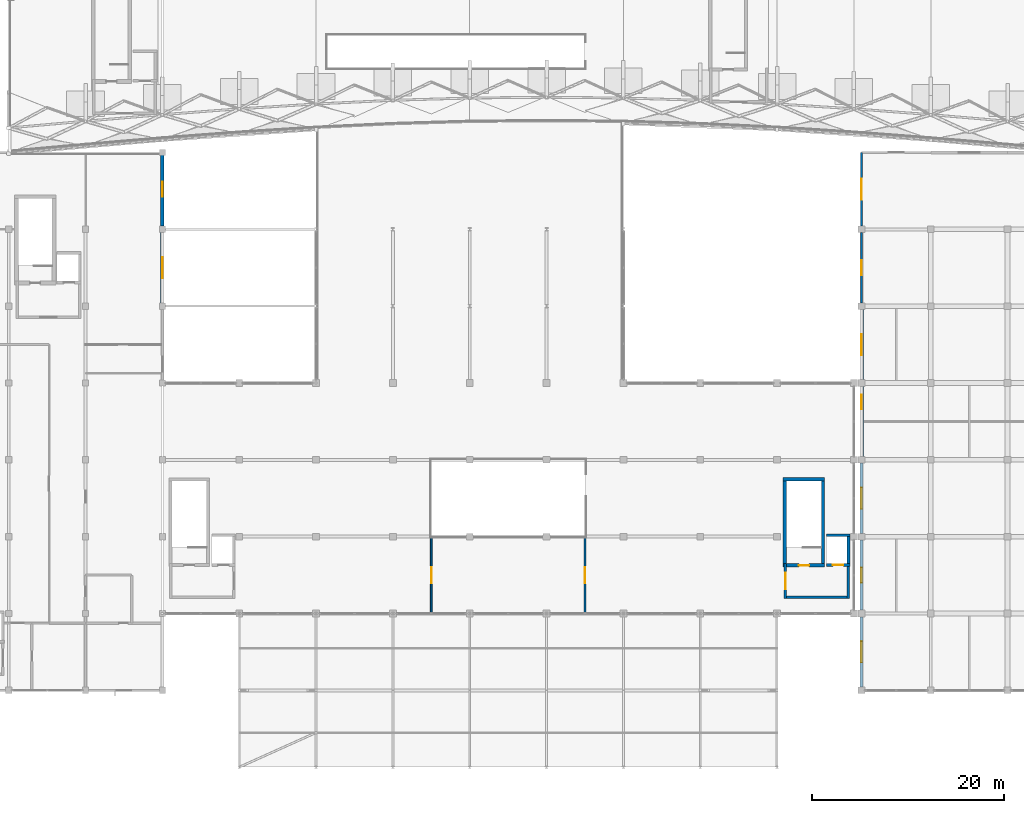
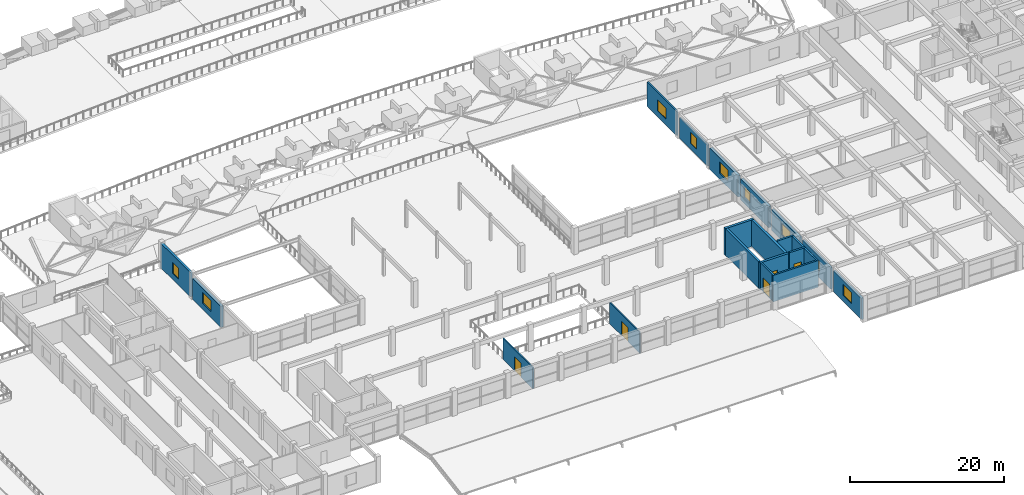
# One storey, part 44 of 67: 21 walls, 9 windows, 5 doors, 14 openings.
"""IFC4 building model written with IfcOpenShell, lengths in metres."""

import ifcopenshell
import ifcopenshell.guid

model = None  # the IFC model being written
_history = None  # IfcOwnerHistory: only IFC2X3 demands one
_inside = {}  # id of a spatial element -> (the spatial element, [elements in it])
_under = {}  # id of a project, library or spatial element -> (it, [spatial elements below it])
_declared = {}  # id of a project -> (the project, [libraries it declares])
_typed = {}  # id of a type object -> (the type object, [elements of that type])
_made_of = {}  # id of a material, layer set ... -> (it, [elements and type objects made of it])


def new_model(schema):
    """Start an empty IFC model of exactly this schema.

    Asked for "IFC4X3", IfcOpenShell would pick the latest addendum, in which some entities
    have other attributes; the version numbers below select the first issue.
    IFC2X3 requires an IfcOwnerHistory on every rooted entity: one is made here for all.
    """
    global model, _history
    if schema == "IFC4X3":
        model = ifcopenshell.file(schema_version=(4, 3, 0, 0))
    else:
        model = ifcopenshell.file(schema=schema)
    _inside.clear()
    _under.clear()
    _declared.clear()
    _typed.clear()
    _made_of.clear()
    _history = None
    if model.schema == "IFC2X3":
        org = make("IfcOrganization", Name="unknown")
        user = make(
            "IfcPersonAndOrganization",
            ThePerson=make("IfcPerson", FamilyName="unknown"),
            TheOrganization=org,
        )
        app = make(
            "IfcApplication",
            ApplicationDeveloper=org,
            Version="unknown",
            ApplicationFullName="unknown",
            ApplicationIdentifier="unknown",
        )
        _history = make(
            "IfcOwnerHistory",
            OwningUser=user,
            OwningApplication=app,
            ChangeAction="ADDED",
            CreationDate=0,
        )
    return model


def make(cls, **values):
    """One entity of the class cls with the attributes given. An attribute that is None is left unset."""
    return model.create_entity(
        cls, **{name: value for name, value in values.items() if value is not None}
    )


def rooted(cls, **values):
    """An entity with a GlobalId (a new one), such as an element, a storey or a relation."""
    return make(cls, GlobalId=ifcopenshell.guid.new(), OwnerHistory=_history, **values)


def si_unit(unit_type, name, prefix=None):
    """IfcSIUnit, for example si_unit("LENGTHUNIT", "METRE", prefix="MILLI")."""
    return make("IfcSIUnit", UnitType=unit_type, Prefix=prefix, Name=name)


def assignment(units):
    """IfcUnitAssignment: the units of a project."""
    return None if units is None else make("IfcUnitAssignment", Units=units)


def point(xyz):
    """IfcCartesianPoint."""
    return None if xyz is None else make("IfcCartesianPoint", Coordinates=xyz)


def direction(xyz):
    """IfcDirection."""
    return None if xyz is None else make("IfcDirection", DirectionRatios=xyz)


def frame(location, z_axis=None, x_axis=None):
    """IfcAxis2Placement3D, a coordinate frame: its origin and axes. An axis left out is left unset."""
    return make(
        "IfcAxis2Placement3D",
        Location=point(location),
        Axis=direction(z_axis),
        RefDirection=direction(x_axis),
    )


def frame_2d(location, x_axis=None):
    """IfcAxis2Placement2D, a coordinate frame in the plane: its origin and x axis."""
    return make(
        "IfcAxis2Placement2D", Location=point(location), RefDirection=direction(x_axis)
    )


def origin():
    """The frame at (0, 0, 0) with its axes left unset."""
    return frame((0.0, 0.0, 0.0))


def place(relative_to, where):
    """IfcLocalPlacement: puts the frame where relative to a parent placement (None: the world)."""
    return make(
        "IfcLocalPlacement", PlacementRelTo=relative_to, RelativePlacement=where
    )


def context(
    kind, dimensions, precision=None, world=None, true_north=None, identifier=None
):
    """IfcGeometricRepresentationContext, for example the 3D "Model" context."""
    return make(
        "IfcGeometricRepresentationContext",
        ContextIdentifier=identifier,
        ContextType=kind,
        CoordinateSpaceDimension=dimensions,
        Precision=precision,
        WorldCoordinateSystem=world,
        TrueNorth=true_north,
    )


def subcontext(parent, identifier, kind, view, scale=None):
    """IfcGeometricRepresentationSubContext, for example "Body" below "Model"."""
    return make(
        "IfcGeometricRepresentationSubContext",
        ContextIdentifier=identifier,
        ContextType=kind,
        ParentContext=parent,
        TargetScale=scale,
        TargetView=view,
    )


def project(units=None, contexts=None):
    """IfcProject with its units and contexts."""
    return rooted(
        "IfcProject",
        Name="project",
        RepresentationContexts=contexts,
        UnitsInContext=assignment(units),
    )


def spatial(cls, under=None, at=None, **own):
    """A site, building, storey or space (cls), placed at a placement, below another one or the project."""
    s = rooted(cls, ObjectPlacement=at, **own)
    if under is not None:
        _under.setdefault(under.id(), (under, []))[1].append(s)
    return s


def profile(cls, at=None, kind="AREA", **sizes):
    """A parametric profile (cls). Its sizes go by their IFC names, for example OverallWidth=200.0."""
    return make(cls, ProfileType=kind, Position=at, **sizes)


def rectangle(**sizes):
    """IfcRectangleProfileDef."""
    return profile("IfcRectangleProfileDef", **sizes)


def extrude(swept, where, along, depth):
    """IfcExtrudedAreaSolid: the profile swept, set in the frame where, extruded along a direction by depth."""
    return make(
        "IfcExtrudedAreaSolid",
        SweptArea=swept,
        Position=where,
        ExtrudedDirection=direction(along),
        Depth=depth,
    )


def shape(context_of_items, identifier, shape_type, items):
    """IfcShapeRepresentation: the items that make up one representation, for example the "Body"."""
    return make(
        "IfcShapeRepresentation",
        ContextOfItems=context_of_items,
        RepresentationIdentifier=identifier,
        RepresentationType=shape_type,
        Items=items,
    )


def material(Name=None, Category=None):
    """IfcMaterial."""
    return make("IfcMaterial", Name=Name, Category=Category)


def layer(
    of_material, thickness, ventilated=None, Name=None, Category=None, Priority=None
):
    """IfcMaterialLayer: one layer of a wall or slab, of a material (None: an air gap)."""
    return make(
        "IfcMaterialLayer",
        Material=of_material,
        LayerThickness=thickness,
        IsVentilated=ventilated,
        Name=Name,
        Category=Category,
        Priority=Priority,
    )


def layer_set(layers, Name=None):
    """IfcMaterialLayerSet."""
    return make("IfcMaterialLayerSet", MaterialLayers=layers, LayerSetName=Name)


def made_of(thing, what):
    """Note that an element or type object is made of a material, layer set ...; save() writes the relation."""
    if what is not None:
        _made_of.setdefault(what.id(), (what, []))[1].append(thing)
    return thing


def type_object(cls, material=None, **own):
    """A type object (cls), such as IfcWallType, which elements share."""
    return made_of(rooted(cls, **own), material)


def element(
    cls,
    number,
    at=None,
    inside=None,
    cuts=None,
    type_object=None,
    material=None,
    context=None,
    identifier="Body",
    shape_type=None,
    held_by="IfcProductDefinitionShape",
    body=None,
    shapes=None,
    **own,
):
    """One element of the class cls, such as IfcWall. Its Tag is "e" and its number.

    at: its placement. inside: the storey or other place that contains it. cuts: it is an
    opening in that element (IfcRelVoidsElement). A single representation is given by context,
    identifier, shape_type and body (its items); several are given by shapes. held_by: the class
    of the entity that holds the representations. save() writes the other relations.
    """
    e = rooted(cls, Tag="e%d" % number, ObjectPlacement=at, **own)
    if body is not None:
        shapes = [shape(context, identifier, shape_type, body)]
    if shapes is not None:
        e.Representation = make(held_by, Representations=shapes)
    if inside is not None:
        _inside.setdefault(inside.id(), (inside, []))[1].append(e)
    if cuts is not None:
        rooted(
            "IfcRelVoidsElement", RelatingBuildingElement=cuts, RelatedOpeningElement=e
        )
    if type_object is not None:
        _typed.setdefault(type_object.id(), (type_object, []))[1].append(e)
    return made_of(e, material)


def fill(opening, filler):
    """IfcRelFillsElement: the door or window that sits in an opening."""
    return rooted(
        "IfcRelFillsElement",
        RelatingOpeningElement=opening,
        RelatedBuildingElement=filler,
    )


def aggregate(whole, parts):
    """IfcRelAggregates: a whole, such as a stair, and the parts it consists of."""
    return rooted("IfcRelAggregates", RelatingObject=whole, RelatedObjects=parts)


def save(model, path):
    """Write the relations noted so far, then the file.

    IfcRelAggregates (storeys below a building ...), IfcRelContainedInSpatialStructure (elements
    in a storey), IfcRelDefinesByType, IfcRelAssociatesMaterial and IfcRelDeclares: one each for
    every whole, place, type object, material and project.
    """
    for whole, parts in _under.values():
        aggregate(whole, parts)
    for where, things in _inside.values():
        rooted(
            "IfcRelContainedInSpatialStructure",
            RelatedElements=things,
            RelatingStructure=where,
        )
    for kind, things in _typed.values():
        rooted("IfcRelDefinesByType", RelatedObjects=things, RelatingType=kind)
    for what, things in _made_of.values():
        rooted("IfcRelAssociatesMaterial", RelatedObjects=things, RelatingMaterial=what)
    for by, libraries in _declared.values():
        rooted("IfcRelDeclares", RelatingContext=by, RelatedDefinitions=libraries)
    model.write(path)


model = new_model("IFC4")

# Units and contexts
model_context = context("Model", 3, precision=1e-05, world=origin(), true_north=direction((0.0, 1.0)))
body_context = subcontext(model_context, "Body", "Model", "MODEL_VIEW")
ifc_project = project(units=[si_unit("LENGTHUNIT", "METRE"), si_unit("AREAUNIT", "SQUARE_METRE"), si_unit("VOLUMEUNIT", "CUBIC_METRE"), si_unit("PLANEANGLEUNIT", "RADIAN"), si_unit("MASSUNIT", "GRAM", prefix="KILO")], contexts=[model_context])

# Site, building, storey
site_placement = place(None, origin())
site = spatial("IfcSite", under=ifc_project, at=site_placement, CompositionType="ELEMENT")
building_placement = place(site_placement, origin())
building = spatial("IfcBuilding", under=site, at=building_placement, Name="Kenh Van Central Station", CompositionType="ELEMENT")
storey_placement = place(building_placement, frame((0.0, 0.0, 10.800048828125)))
storey = spatial("IfcBuildingStorey", under=building, at=storey_placement, Name="L02", CompositionType="ELEMENT", Elevation=10.800048828125)

# Wall, opening, door
ifc_material_1 = material(Name="Concrete C40/50", Category="concrete")
ifc_layer_1 = layer(ifc_material_1, 0.280029296875, Name="Concrete C40/50")
ifc_layer_set_1 = layer_set([ifc_layer_1], Name="Concrete C40/50")
wall_type_1 = type_object("IfcWallType", Name="WL-CORE-280", PredefinedType="SHEAR", material=ifc_layer_set_1)
wall_1_placement = place(storey_placement, frame((117.14990234375, 21.06005859375, 0.0), z_axis=(0.0, 0.0, 1.0), x_axis=(1.0, 0.0, 0.0)))
wall_1 = element("IfcWall", 1, at=wall_1_placement, inside=storey, type_object=wall_type_1, Name="L02 LIFT-P4 shaft wall S", PredefinedType="SHEAR", context=body_context, shape_type="SweptSolid", body=[
    extrude(rectangle(XDim=2.43017578125, YDim=0.280029296875, at=frame_2d((1.215087890625, 0.0))), origin(), (0.0, 0.0, 1.0), 4.199951171875),
])
opening_1_placement = place(wall_1_placement, frame((0.6650390625, 0.0, 0.0)))
opening_1 = element("IfcOpeningElement", 2, at=opening_1_placement, cuts=wall_1, Name="Opening LD-P1", PredefinedType="OPENING", context=body_context, shape_type="SweptSolid", body=[
    extrude(rectangle(XDim=1.10009765625, YDim=2.14990234375, at=frame_2d((0.550048828125, 1.074951171875))), frame((0.0, 0.14990234375, 0.0), z_axis=(0.0, -1.0, 0.0), x_axis=(1.0, 0.0, 0.0)), (0.0, 0.0, 1.0), 0.300048828125),
])
ifc_material_2 = material(Name="Champagne anodised aluminium", Category="aluminium")
door_type_1 = type_object("IfcDoorType", Name="DR-LIFT-1100x2150", OperationType="SLIDING_TO_LEFT", PredefinedType="DOOR", material=ifc_material_2)
door_1_placement = place(opening_1_placement, origin())
door_1 = element("IfcDoor", 3, at=door_1_placement, inside=storey, type_object=door_type_1, Name="L02 LIFT-P4 sliding landing door", OperationType="SLIDING_TO_LEFT", OverallHeight=2.14990234375, OverallWidth=1.10009765625, PredefinedType="DOOR", context=body_context, shape_type="SweptSolid", body=[
    extrude(rectangle(XDim=1.10009765625, YDim=2.14990234375, at=frame_2d((0.550048828125, 1.074951171875))), frame((0.0, 0.02490234375, 0.0), z_axis=(0.0, -1.0, 0.0), x_axis=(1.0, 0.0, 0.0)), (0.0, 0.0, 1.0), 0.050048828125),
])
fill(opening_1, door_1)

# Walls
wall_2_placement = place(storey_placement, frame((117.14990234375, 24.139892578125, 0.0), z_axis=(0.0, 0.0, 1.0), x_axis=(1.0, 0.0, 0.0)))
element("IfcWall", 4, at=wall_2_placement, inside=storey, type_object=wall_type_1, Name="L02 LIFT-P4 shaft wall N", PredefinedType="SHEAR", context=body_context, shape_type="SweptSolid", body=[
    extrude(rectangle(XDim=2.43017578125, YDim=0.280029296875, at=frame_2d((1.215087890625, 0.0))), origin(), (0.0, 0.0, 1.0), 4.199951171875),
])
wall_3_placement = place(storey_placement, frame((119.43994140625, 21.199951171875, 0.0), z_axis=(0.0, 0.0, 1.0), x_axis=(0.0, 1.0, 0.0)))
element("IfcWall", 5, at=wall_3_placement, inside=storey, type_object=wall_type_1, Name="L02 LIFT-P4 shaft wall E", PredefinedType="SHEAR", context=body_context, shape_type="SweptSolid", body=[
    extrude(rectangle(XDim=2.800048828125, YDim=0.280029296875, at=frame_2d((1.39990234375, 0.0))), origin(), (0.0, 0.0, 1.0), 4.199951171875),
])

# Wall, opening, door
ifc_layer_2 = layer(ifc_material_1, 0.360107421875, Name="Concrete C40/50")
ifc_layer_set_2 = layer_set([ifc_layer_2], Name="Concrete C40/50")
wall_type_2 = type_object("IfcWallType", Name="WL-CORE-360", PredefinedType="SHEAR", material=ifc_layer_set_2)
wall_4_placement = place(storey_placement, frame((112.639892578125, 21.02001953125, 0.0), z_axis=(0.0, 0.0, 1.0), x_axis=(1.0, 0.0, 0.0)))
wall_4 = element("IfcWall", 6, at=wall_4_placement, inside=storey, type_object=wall_type_2, Name="L02 CORE-04 stair wall S", PredefinedType="SHEAR", context=body_context, shape_type="SweptSolid", body=[
    extrude(rectangle(XDim=4.320068359375, YDim=0.360107421875, at=frame_2d((2.16015625, 0.0))), origin(), (0.0, 0.0, 1.0), 4.199951171875),
])
opening_2_placement = place(wall_4_placement, frame((1.635009765625, 0.0, 0.0)))
opening_2 = element("IfcOpeningElement", 7, at=opening_2_placement, cuts=wall_4, Name="Opening D-FD60", PredefinedType="OPENING", context=body_context, shape_type="SweptSolid", body=[
    extrude(rectangle(XDim=1.050048828125, YDim=2.14990234375, at=frame_2d((0.52490234375, 1.074951171875))), frame((0.0, 0.18994140625, 0.0), z_axis=(0.0, -1.0, 0.0), x_axis=(1.0, 0.0, 0.0)), (0.0, 0.0, 1.0), 0.380126953125),
])
door_type_2 = type_object("IfcDoorType", Name="DR-FIRE-1050x2150", OperationType="NOTDEFINED", PredefinedType="DOOR", material=ifc_material_2)
door_2_placement = place(opening_2_placement, origin())
door_2 = element("IfcDoor", 8, at=door_2_placement, inside=storey, type_object=door_type_2, Name="L02 ST-04 stair door", OperationType="SINGLE_SWING_LEFT", OverallHeight=2.14990234375, OverallWidth=1.050048828125, PredefinedType="DOOR", context=body_context, shape_type="SweptSolid", body=[
    extrude(rectangle(XDim=1.050048828125, YDim=2.14990234375, at=frame_2d((0.52490234375, 1.074951171875))), frame((0.0, 0.02490234375, 0.0), z_axis=(0.0, -1.0, 0.0), x_axis=(1.0, 0.0, 0.0)), (0.0, 0.0, 1.0), 0.050048828125),
])
fill(opening_2, door_2)

# Walls
wall_5_placement = place(storey_placement, frame((112.639892578125, 29.97998046875, 0.0), z_axis=(0.0, 0.0, 1.0), x_axis=(1.0, 0.0, 0.0)))
element("IfcWall", 9, at=wall_5_placement, inside=storey, type_object=wall_type_2, Name="L02 CORE-04 stair wall N", PredefinedType="SHEAR", context=body_context, shape_type="SweptSolid", body=[
    extrude(rectangle(XDim=4.320068359375, YDim=0.360107421875, at=frame_2d((2.16015625, 0.0))), origin(), (0.0, 0.0, 1.0), 4.199951171875),
])
for number, where, z_axis, x_axis, name in (
    (10, (112.820068359375, 21.199951171875, 0.0), (0.0, 0.0, 1.0), (0.0, 1.0, 0.0), "L02 CORE-04 stair wall W"),
    (11, (116.780029296875, 21.199951171875, 0.0), (0.0, 0.0, 1.0), (0.0, 1.0, 0.0), "L02 CORE-04 stair wall E"),
):
    element("IfcWall", number, at=place(storey_placement, frame(where, z_axis=z_axis, x_axis=x_axis)), inside=storey, type_object=wall_type_2, Name=name, PredefinedType="SHEAR", context=body_context, shape_type="SweptSolid", body=[
        extrude(rectangle(XDim=8.60009765625, YDim=0.360107421875, at=frame_2d((4.300048828125, 0.0))), origin(), (0.0, 0.0, 1.0), 4.199951171875),
    ])

# Wall, opening, window
ifc_material_3 = material(Name="Saigon buff sandstone and terracotta masonry", Category="masonry")
ifc_layer_3 = layer(ifc_material_3, 0.2900390625, Name="Saigon buff sandstone and terracotta masonry")
ifc_layer_set_3 = layer_set([ifc_layer_3], Name="Saigon buff sandstone and terracotta masonry")
wall_type_3 = type_object("IfcWallType", Name="WL-EXT-290", PredefinedType="STANDARD", material=ifc_layer_set_3)
wall_6_placement = place(storey_placement, frame((120.800048828125, 15.64990234375, 0.0), z_axis=(0.0, 0.0, 1.0), x_axis=(0.0, -1.0, 0.0)))
wall_6 = element("IfcWall", 12, at=wall_6_placement, inside=storey, type_object=wall_type_3, Name="L02 exterior wall 100", PredefinedType="STANDARD", context=body_context, shape_type="SweptSolid", body=[
    extrude(rectangle(XDim=7.2998046875, YDim=0.2900390625, at=frame_2d((3.64990234375, 0.0))), origin(), (0.0, 0.0, 1.0), 3.35986328125),
])
opening_3_placement = place(wall_6_placement, frame((2.550048828125, 0.0, 0.949951171875)))
opening_3 = element("IfcOpeningElement", 13, at=opening_3_placement, cuts=wall_6, Name="Opening WN-16", PredefinedType="OPENING", context=body_context, shape_type="SweptSolid", body=[
    extrude(rectangle(XDim=2.199951171875, YDim=1.75, at=frame_2d((1.10009765625, 0.875))), frame((0.0, 0.155029296875, 0.0), z_axis=(0.0, -1.0, 0.0), x_axis=(1.0, 0.0, 0.0)), (0.0, 0.0, 1.0), 0.31005859375),
])
ifc_material_4 = material(Name="Double-glazed low-E laminated solar glass", Category="glass")
window_type_1 = type_object("IfcWindowType", Name="WN-OP02-2200x1750", PartitioningType="DOUBLE_PANEL_VERTICAL", PredefinedType="WINDOW", material=ifc_material_4)
window_1_placement = place(opening_3_placement, origin())
window_1 = element("IfcWindow", 14, at=window_1_placement, inside=storey, type_object=window_type_1, Name="L02 window 070", OverallHeight=1.75, OverallWidth=2.199951171875, PartitioningType="SINGLE_PANEL", PredefinedType="WINDOW", context=body_context, shape_type="SweptSolid", body=[
    extrude(rectangle(XDim=2.199951171875, YDim=1.75, at=frame_2d((1.10009765625, 0.875))), frame((0.0, 0.030029296875, 0.0), z_axis=(0.0, -1.0, 0.0), x_axis=(1.0, 0.0, 0.0)), (0.0, 0.0, 1.0), 0.06005859375),
])
fill(opening_3, window_1)

ifc_layer_4 = layer(ifc_material_3, 0.31005859375, Name="Saigon buff sandstone and terracotta masonry")
ifc_layer_set_4 = layer_set([ifc_layer_4], Name="Saigon buff sandstone and terracotta masonry")
wall_type_4 = type_object("IfcWallType", Name="WL-EXT-310", PredefinedType="STANDARD", material=ifc_layer_set_4)
wall_7_placement = place(storey_placement, frame((120.800048828125, 23.64990234375, 0.0), z_axis=(0.0, 0.0, 1.0), x_axis=(0.0, -1.0, 0.0)))
wall_7 = element("IfcWall", 15, at=wall_7_placement, inside=storey, type_object=wall_type_4, Name="L02 exterior wall 099", PredefinedType="STANDARD", context=body_context, shape_type="SweptSolid", body=[
    extrude(rectangle(XDim=7.2998046875, YDim=0.31005859375, at=frame_2d((3.64990234375, 0.0))), origin(), (0.0, 0.0, 1.0), 3.364990234375),
])
opening_4_placement = place(wall_7_placement, frame((2.875, 0.0, 0.949951171875)))
opening_4 = element("IfcOpeningElement", 16, at=opening_4_placement, cuts=wall_7, Name="Opening WN-17", PredefinedType="OPENING", context=body_context, shape_type="SweptSolid", body=[
    extrude(rectangle(XDim=1.550048828125, YDim=1.75, at=frame_2d((0.77490234375, 0.875))), frame((0.0, 0.1650390625, 0.0), z_axis=(0.0, -1.0, 0.0), x_axis=(1.0, 0.0, 0.0)), (0.0, 0.0, 1.0), 0.330078125),
])
window_type_2 = type_object("IfcWindowType", Name="WN-OP02-1550x1750", PartitioningType="SINGLE_PANEL", PredefinedType="WINDOW", material=ifc_material_4)
window_2_placement = place(opening_4_placement, origin())
window_2 = element("IfcWindow", 17, at=window_2_placement, inside=storey, type_object=window_type_2, Name="L02 window 069", OverallHeight=1.75, OverallWidth=1.550048828125, PartitioningType="SINGLE_PANEL", PredefinedType="WINDOW", context=body_context, shape_type="SweptSolid", body=[
    extrude(rectangle(XDim=1.550048828125, YDim=1.75, at=frame_2d((0.77490234375, 0.875))), frame((0.0, 0.030029296875, 0.0), z_axis=(0.0, -1.0, 0.0), x_axis=(1.0, 0.0, 0.0)), (0.0, 0.0, 1.0), 0.06005859375),
])
fill(opening_4, window_2)

ifc_layer_5 = layer(ifc_material_3, 0.330078125, Name="Saigon buff sandstone and terracotta masonry")
ifc_layer_set_5 = layer_set([ifc_layer_5], Name="Saigon buff sandstone and terracotta masonry")
wall_type_5 = type_object("IfcWallType", Name="WL-EXT-330", PredefinedType="STANDARD", material=ifc_layer_set_5)
wall_8_placement = place(storey_placement, frame((120.800048828125, 31.64990234375, 0.0), z_axis=(0.0, 0.0, 1.0), x_axis=(0.0, -1.0, 0.0)))
wall_8 = element("IfcWall", 18, at=wall_8_placement, inside=storey, type_object=wall_type_5, Name="L02 exterior wall 098", PredefinedType="STANDARD", context=body_context, shape_type="SweptSolid", body=[
    extrude(rectangle(XDim=7.2998046875, YDim=0.330078125, at=frame_2d((3.64990234375, 0.0))), origin(), (0.0, 0.0, 1.0), 3.364990234375),
])
opening_5_placement = place(wall_8_placement, frame((2.550048828125, 0.0, 0.949951171875)))
opening_5 = element("IfcOpeningElement", 19, at=opening_5_placement, cuts=wall_8, Name="Opening WN-16", PredefinedType="OPENING", context=body_context, shape_type="SweptSolid", body=[
    extrude(rectangle(XDim=2.199951171875, YDim=1.75, at=frame_2d((1.10009765625, 0.875))), frame((0.0, 0.175048828125, 0.0), z_axis=(0.0, -1.0, 0.0), x_axis=(1.0, 0.0, 0.0)), (0.0, 0.0, 1.0), 0.35009765625),
])
window_3_placement = place(opening_5_placement, origin())
window_3 = element("IfcWindow", 20, at=window_3_placement, inside=storey, type_object=window_type_1, Name="L02 window 068", OverallHeight=1.75, OverallWidth=2.199951171875, PartitioningType="SINGLE_PANEL", PredefinedType="WINDOW", context=body_context, shape_type="SweptSolid", body=[
    extrude(rectangle(XDim=2.199951171875, YDim=1.75, at=frame_2d((1.10009765625, 0.875))), frame((0.0, 0.030029296875, 0.0), z_axis=(0.0, -1.0, 0.0), x_axis=(1.0, 0.0, 0.0)), (0.0, 0.0, 1.0), 0.06005859375),
])
fill(opening_5, window_3)

ifc_layer_6 = layer(ifc_material_3, 0.35009765625, Name="Saigon buff sandstone and terracotta masonry")
ifc_layer_set_6 = layer_set([ifc_layer_6], Name="Saigon buff sandstone and terracotta masonry")
wall_type_6 = type_object("IfcWallType", Name="WL-EXT-350", PredefinedType="STANDARD", material=ifc_layer_set_6)
wall_9_placement = place(storey_placement, frame((48.0, 56.324951171875, 0.0), z_axis=(0.0, 0.0, 1.0), x_axis=(0.0, 1.0, 0.0)))
wall_9 = element("IfcWall", 21, at=wall_9_placement, inside=storey, type_object=wall_type_6, Name="L02 exterior wall 081", PredefinedType="STANDARD", context=body_context, shape_type="SweptSolid", body=[
    extrude(rectangle(XDim=7.675048828125, YDim=0.35009765625, at=frame_2d((3.83740234375, 0.0))), origin(), (0.0, 0.0, 1.0), 3.8798828125),
])
opening_6_placement = place(wall_9_placement, frame((3.0625, 0.0, 0.949951171875)))
opening_6 = element("IfcOpeningElement", 22, at=opening_6_placement, cuts=wall_9, Name="Opening WN-17", PredefinedType="OPENING", context=body_context, shape_type="SweptSolid", body=[
    extrude(rectangle(XDim=1.550048828125, YDim=1.75, at=frame_2d((0.77490234375, 0.875))), frame((0.0, 0.18505859375, 0.0), z_axis=(0.0, -1.0, 0.0), x_axis=(1.0, 0.0, 0.0)), (0.0, 0.0, 1.0), 0.3701171875),
])
window_4_placement = place(opening_6_placement, origin())
window_4 = element("IfcWindow", 23, at=window_4_placement, inside=storey, type_object=window_type_2, Name="L02 window 051", OverallHeight=1.75, OverallWidth=1.550048828125, PartitioningType="SINGLE_PANEL", PredefinedType="WINDOW", context=body_context, shape_type="SweptSolid", body=[
    extrude(rectangle(XDim=1.550048828125, YDim=1.75, at=frame_2d((0.77490234375, 0.875))), frame((0.0, 0.030029296875, 0.0), z_axis=(0.0, -1.0, 0.0), x_axis=(1.0, 0.0, 0.0)), (0.0, 0.0, 1.0), 0.06005859375),
])
fill(opening_6, window_4)

wall_10_placement = place(storey_placement, frame((120.800048828125, 39.64990234375, 0.0), z_axis=(0.0, 0.0, 1.0), x_axis=(0.0, -1.0, 0.0)))
wall_10 = element("IfcWall", 24, at=wall_10_placement, inside=storey, type_object=wall_type_6, Name="L02 exterior wall 097", PredefinedType="STANDARD", context=body_context, shape_type="SweptSolid", body=[
    extrude(rectangle(XDim=7.2998046875, YDim=0.35009765625, at=frame_2d((3.64990234375, 0.0))), origin(), (0.0, 0.0, 1.0), 3.364990234375),
])
opening_7_placement = place(wall_10_placement, frame((0.85009765625, 0.0, 0.949951171875)))
opening_7 = element("IfcOpeningElement", 25, at=opening_7_placement, cuts=wall_10, Name="Opening WN-17", PredefinedType="OPENING", context=body_context, shape_type="SweptSolid", body=[
    extrude(rectangle(XDim=1.550048828125, YDim=1.75, at=frame_2d((0.77490234375, 0.875))), frame((0.0, 0.18505859375, 0.0), z_axis=(0.0, -1.0, 0.0), x_axis=(1.0, 0.0, 0.0)), (0.0, 0.0, 1.0), 0.3701171875),
])
window_5_placement = place(opening_7_placement, origin())
window_5 = element("IfcWindow", 26, at=window_5_placement, inside=storey, type_object=window_type_2, Name="L02 window 067", OverallHeight=1.75, OverallWidth=1.550048828125, PartitioningType="SINGLE_PANEL", PredefinedType="WINDOW", context=body_context, shape_type="SweptSolid", body=[
    extrude(rectangle(XDim=1.550048828125, YDim=1.75, at=frame_2d((0.77490234375, 0.875))), frame((0.0, 0.030029296875, 0.0), z_axis=(0.0, -1.0, 0.0), x_axis=(1.0, 0.0, 0.0)), (0.0, 0.0, 1.0), 0.06005859375),
])
fill(opening_7, window_5)

ifc_layer_7 = layer(ifc_material_3, 0.3798828125, Name="Saigon buff sandstone and terracotta masonry")
ifc_layer_set_7 = layer_set([ifc_layer_7], Name="Saigon buff sandstone and terracotta masonry")
wall_type_7 = type_object("IfcWallType", Name="WL-EXT-380", PredefinedType="STANDARD", material=ifc_layer_set_7)
wall_11_placement = place(storey_placement, frame((48.0, 48.324951171875, 0.0), z_axis=(0.0, 0.0, 1.0), x_axis=(0.0, 1.0, 0.0)))
wall_11 = element("IfcWall", 27, at=wall_11_placement, inside=storey, type_object=wall_type_7, Name="L02 exterior wall 080", PredefinedType="STANDARD", context=body_context, shape_type="SweptSolid", body=[
    extrude(rectangle(XDim=7.35009765625, YDim=0.3798828125, at=frame_2d((3.675048828125, 0.0))), origin(), (0.0, 0.0, 1.0), 3.35986328125),
])
opening_8_placement = place(wall_11_placement, frame((2.574951171875, 0.0, 0.949951171875)))
opening_8 = element("IfcOpeningElement", 28, at=opening_8_placement, cuts=wall_11, Name="Opening WN-16", PredefinedType="OPENING", context=body_context, shape_type="SweptSolid", body=[
    extrude(rectangle(XDim=2.199951171875, YDim=1.75, at=frame_2d((1.10009765625, 0.875))), frame((0.0, 0.199951171875, 0.0), z_axis=(0.0, -1.0, 0.0), x_axis=(1.0, 0.0, 0.0)), (0.0, 0.0, 1.0), 0.39990234375),
])
window_6_placement = place(opening_8_placement, origin())
window_6 = element("IfcWindow", 29, at=window_6_placement, inside=storey, type_object=window_type_1, Name="L02 window 050", OverallHeight=1.75, OverallWidth=2.199951171875, PartitioningType="SINGLE_PANEL", PredefinedType="WINDOW", context=body_context, shape_type="SweptSolid", body=[
    extrude(rectangle(XDim=2.199951171875, YDim=1.75, at=frame_2d((1.10009765625, 0.875))), frame((0.0, 0.030029296875, 0.0), z_axis=(0.0, -1.0, 0.0), x_axis=(1.0, 0.0, 0.0)), (0.0, 0.0, 1.0), 0.06005859375),
])
fill(opening_8, window_6)

wall_12_placement = place(storey_placement, frame((120.800048828125, 47.64990234375, 0.0), z_axis=(0.0, 0.0, 1.0), x_axis=(0.0, -1.0, 0.0)))
wall_12 = element("IfcWall", 30, at=wall_12_placement, inside=storey, type_object=wall_type_7, Name="L02 exterior wall 096", PredefinedType="STANDARD", context=body_context, shape_type="SweptSolid", body=[
    extrude(rectangle(XDim=7.2998046875, YDim=0.3798828125, at=frame_2d((3.64990234375, 0.0))), origin(), (0.0, 0.0, 1.0), 3.364990234375),
])
opening_9_placement = place(wall_12_placement, frame((2.550048828125, 0.0, 0.949951171875)))
opening_9 = element("IfcOpeningElement", 31, at=opening_9_placement, cuts=wall_12, Name="Opening WN-16", PredefinedType="OPENING", context=body_context, shape_type="SweptSolid", body=[
    extrude(rectangle(XDim=2.199951171875, YDim=1.75, at=frame_2d((1.10009765625, 0.875))), frame((0.0, 0.199951171875, 0.0), z_axis=(0.0, -1.0, 0.0), x_axis=(1.0, 0.0, 0.0)), (0.0, 0.0, 1.0), 0.39990234375),
])
window_7_placement = place(opening_9_placement, origin())
window_7 = element("IfcWindow", 32, at=window_7_placement, inside=storey, type_object=window_type_1, Name="L02 window 066", OverallHeight=1.75, OverallWidth=2.199951171875, PartitioningType="SINGLE_PANEL", PredefinedType="WINDOW", context=body_context, shape_type="SweptSolid", body=[
    extrude(rectangle(XDim=2.199951171875, YDim=1.75, at=frame_2d((1.10009765625, 0.875))), frame((0.0, 0.030029296875, 0.0), z_axis=(0.0, -1.0, 0.0), x_axis=(1.0, 0.0, 0.0)), (0.0, 0.0, 1.0), 0.06005859375),
])
fill(opening_9, window_7)

# Wall
ifc_layer_8 = layer(ifc_material_1, 0.260009765625, Name="Concrete C40/50")
ifc_layer_set_8 = layer_set([ifc_layer_8], Name="Concrete C40/50")
wall_type_8 = type_object("IfcWallType", Name="WL-FIRE-260", PredefinedType="SHEAR", material=ifc_layer_set_8)
wall_13_placement = place(storey_placement, frame((119.56005859375, 17.669921875, 0.0), z_axis=(0.0, 0.0, 1.0), x_axis=(-1.0, 0.0, 0.0)))
element("IfcWall", 33, at=wall_13_placement, inside=storey, type_object=wall_type_8, Name="L02 CORE-04 lobby wall S", PredefinedType="SHEAR", context=body_context, shape_type="SweptSolid", body=[
    extrude(rectangle(XDim=6.820068359375, YDim=0.260009765625, at=frame_2d((3.41015625, 0.0))), origin(), (0.0, 0.0, 1.0), 4.199951171875),
])

# Wall, opening, door
wall_14_placement = place(storey_placement, frame((112.8701171875, 17.5400390625, 0.0), z_axis=(0.0, 0.0, 1.0), x_axis=(0.0, 1.0, 0.0)))
wall_14 = element("IfcWall", 34, at=wall_14_placement, inside=storey, type_object=wall_type_8, Name="L02 CORE-04 lobby wall W", PredefinedType="SHEAR", context=body_context, shape_type="SweptSolid", body=[
    extrude(rectangle(XDim=3.659912109375, YDim=0.260009765625, at=frame_2d((1.830078125, 0.0))), origin(), (0.0, 0.0, 1.0), 4.199951171875),
])
opening_10_placement = place(wall_14_placement, frame((0.97998046875, 0.0, 0.0)))
opening_10 = element("IfcOpeningElement", 35, at=opening_10_placement, cuts=wall_14, Name="Opening D-FD60D", PredefinedType="OPENING", context=body_context, shape_type="SweptSolid", body=[
    extrude(rectangle(XDim=1.699951171875, YDim=2.199951171875, at=frame_2d((0.85009765625, 1.10009765625))), frame((0.0, 0.139892578125, 0.0), z_axis=(0.0, -1.0, 0.0), x_axis=(1.0, 0.0, 0.0)), (0.0, 0.0, 1.0), 0.280029296875),
])
door_type_3 = type_object("IfcDoorType", Name="DR-FIRE-1700x2200", OperationType="DOUBLE_DOOR_SINGLE_SWING", PredefinedType="DOOR", material=ifc_material_2)
door_3_placement = place(opening_10_placement, origin())
door_3 = element("IfcDoor", 36, at=door_3_placement, inside=storey, type_object=door_type_3, Name="L02 CORE-04 smoke-stop lobby door", OperationType="DOUBLE_DOOR_SINGLE_SWING", OverallHeight=2.199951171875, OverallWidth=1.699951171875, PredefinedType="DOOR", context=body_context, shape_type="SweptSolid", body=[
    extrude(rectangle(XDim=1.699951171875, YDim=2.199951171875, at=frame_2d((0.85009765625, 1.10009765625))), frame((0.0, 0.02490234375, 0.0), z_axis=(0.0, -1.0, 0.0), x_axis=(1.0, 0.0, 0.0)), (0.0, 0.0, 1.0), 0.050048828125),
])
fill(opening_10, door_3)

# Wall
wall_15_placement = place(storey_placement, frame((119.429931640625, 17.5400390625, 0.0), z_axis=(0.0, 0.0, 1.0), x_axis=(0.0, 1.0, 0.0)))
element("IfcWall", 37, at=wall_15_placement, inside=storey, type_object=wall_type_8, Name="L02 CORE-04 lobby wall E", PredefinedType="SHEAR", context=body_context, shape_type="SweptSolid", body=[
    extrude(rectangle(XDim=3.659912109375, YDim=0.260009765625, at=frame_2d((1.830078125, 0.0))), origin(), (0.0, 0.0, 1.0), 4.199951171875),
])

# Wall, opening, door
ifc_material_5 = material(Name="Lightweight acoustic masonry blockwork", Category="masonry")
ifc_layer_9 = layer(ifc_material_5, 0.159912109375, Name="Lightweight acoustic masonry blockwork")
ifc_layer_set_9 = layer_set([ifc_layer_9], Name="Lightweight acoustic masonry blockwork")
wall_type_9 = type_object("IfcWallType", Name="WL-PART-160", PredefinedType="PARTITIONING", material=ifc_layer_set_9)
wall_16_placement = place(storey_placement, frame((92.0, 16.1201171875, 0.0), z_axis=(0.0, 0.0, 1.0), x_axis=(0.0, 1.0, 0.0)))
wall_16 = element("IfcWall", 38, at=wall_16_placement, inside=storey, type_object=wall_type_9, Name="L02 interior wall 0155", PredefinedType="PARTITIONING", context=body_context, shape_type="SweptSolid", body=[
    extrude(rectangle(XDim=7.759765625, YDim=0.159912109375, at=frame_2d((3.8798828125, 0.0))), origin(), (0.0, 0.0, 1.0), 3.35986328125),
])
opening_11_placement = place(wall_16_placement, frame((3.054931640625, 0.0, 0.0)))
opening_11 = element("IfcOpeningElement", 39, at=opening_11_placement, cuts=wall_16, Name="Opening D-IN02", PredefinedType="OPENING", context=body_context, shape_type="SweptSolid", body=[
    extrude(rectangle(XDim=1.64990234375, YDim=2.25, at=frame_2d((0.824951171875, 1.125))), frame((0.0, 0.08984375, 0.0), z_axis=(0.0, -1.0, 0.0), x_axis=(1.0, 0.0, 0.0)), (0.0, 0.0, 1.0), 0.179931640625),
])
ifc_material_6 = material(Name="Architectural hardwood timber", Category="wood")
door_type_4 = type_object("IfcDoorType", Name="DR-INT-1650x2250", OperationType="DOUBLE_DOOR_SINGLE_SWING", PredefinedType="DOOR", material=ifc_material_6)
door_4_placement = place(opening_11_placement, origin())
door_4 = element("IfcDoor", 40, at=door_4_placement, inside=storey, type_object=door_type_4, Name="L02 interior door 0085", OperationType="DOUBLE_DOOR_SINGLE_SWING", OverallHeight=2.25, OverallWidth=1.64990234375, PredefinedType="DOOR", context=body_context, shape_type="SweptSolid", body=[
    extrude(rectangle(XDim=1.64990234375, YDim=2.25, at=frame_2d((0.824951171875, 1.125))), frame((0.0, 0.02490234375, 0.0), z_axis=(0.0, -1.0, 0.0), x_axis=(1.0, 0.0, 0.0)), (0.0, 0.0, 1.0), 0.050048828125),
])
fill(opening_11, door_4)

ifc_layer_10 = layer(ifc_material_5, 0.175048828125, Name="Lightweight acoustic masonry blockwork")
ifc_layer_set_10 = layer_set([ifc_layer_10], Name="Lightweight acoustic masonry blockwork")
wall_type_10 = type_object("IfcWallType", Name="WL-PART-175", PredefinedType="PARTITIONING", material=ifc_layer_set_10)
wall_17_placement = place(storey_placement, frame((76.0, 16.1201171875, 0.0), z_axis=(0.0, 0.0, 1.0), x_axis=(0.0, 1.0, 0.0)))
wall_17 = element("IfcWall", 41, at=wall_17_placement, inside=storey, type_object=wall_type_10, Name="L02 interior wall 0154", PredefinedType="PARTITIONING", context=body_context, shape_type="SweptSolid", body=[
    extrude(rectangle(XDim=7.759765625, YDim=0.175048828125, at=frame_2d((3.8798828125, 0.0))), origin(), (0.0, 0.0, 1.0), 3.35986328125),
])
opening_12_placement = place(wall_17_placement, frame((3.054931640625, 0.0, 0.0)))
opening_12 = element("IfcOpeningElement", 42, at=opening_12_placement, cuts=wall_17, Name="Opening D-IN02", PredefinedType="OPENING", context=body_context, shape_type="SweptSolid", body=[
    extrude(rectangle(XDim=1.64990234375, YDim=2.25, at=frame_2d((0.824951171875, 1.125))), frame((0.0, 0.097412109375, 0.0), z_axis=(0.0, -1.0, 0.0), x_axis=(1.0, 0.0, 0.0)), (0.0, 0.0, 1.0), 0.195068359375),
])
door_5_placement = place(opening_12_placement, origin())
door_5 = element("IfcDoor", 43, at=door_5_placement, inside=storey, type_object=door_type_4, Name="L02 interior door 0084", OperationType="DOUBLE_DOOR_SINGLE_SWING", OverallHeight=2.25, OverallWidth=1.64990234375, PredefinedType="DOOR", context=body_context, shape_type="SweptSolid", body=[
    extrude(rectangle(XDim=1.64990234375, YDim=2.25, at=frame_2d((0.824951171875, 1.125))), frame((0.0, 0.02490234375, 0.0), z_axis=(0.0, -1.0, 0.0), x_axis=(1.0, 0.0, 0.0)), (0.0, 0.0, 1.0), 0.050048828125),
])
fill(opening_12, door_5)

# Wall, opening, window
ifc_material_7 = material(Name="Glazed terracotta architectural masonry", Category="masonry")
ifc_layer_11 = layer(ifc_material_7, 0.195068359375, Name="Glazed terracotta architectural masonry")
ifc_layer_set_11 = layer_set([ifc_layer_11], Name="Glazed terracotta architectural masonry")
wall_type_11 = type_object("IfcWallType", Name="WL-SLD-195", PredefinedType="SOLIDWALL", material=ifc_layer_set_11)
wall_18_placement = place(storey_placement, frame((120.800048828125, 55.64990234375, 0.0), z_axis=(0.0, 0.0, 1.0), x_axis=(0.0, -1.0, 0.0)))
wall_18 = element("IfcWall", 44, at=wall_18_placement, inside=storey, type_object=wall_type_11, Name="L02 exterior wall 095", PredefinedType="SOLIDWALL", context=body_context, shape_type="SweptSolid", body=[
    extrude(rectangle(XDim=7.2998046875, YDim=0.195068359375, at=frame_2d((3.64990234375, 0.0))), origin(), (0.0, 0.0, 1.0), 3.35986328125),
])
opening_13_placement = place(wall_18_placement, frame((2.875, 0.0, 0.949951171875)))
opening_13 = element("IfcOpeningElement", 45, at=opening_13_placement, cuts=wall_18, Name="Opening WN-17", PredefinedType="OPENING", context=body_context, shape_type="SweptSolid", body=[
    extrude(rectangle(XDim=1.550048828125, YDim=1.75, at=frame_2d((0.77490234375, 0.875))), frame((0.0, 0.107421875, 0.0), z_axis=(0.0, -1.0, 0.0), x_axis=(1.0, 0.0, 0.0)), (0.0, 0.0, 1.0), 0.215087890625),
])
window_8_placement = place(opening_13_placement, origin())
window_8 = element("IfcWindow", 46, at=window_8_placement, inside=storey, type_object=window_type_2, Name="L02 window 065", OverallHeight=1.75, OverallWidth=1.550048828125, PartitioningType="SINGLE_PANEL", PredefinedType="WINDOW", context=body_context, shape_type="SweptSolid", body=[
    extrude(rectangle(XDim=1.550048828125, YDim=1.75, at=frame_2d((0.77490234375, 0.875))), frame((0.0, 0.030029296875, 0.0), z_axis=(0.0, -1.0, 0.0), x_axis=(1.0, 0.0, 0.0)), (0.0, 0.0, 1.0), 0.06005859375),
])
fill(opening_13, window_8)

ifc_layer_12 = layer(ifc_material_7, 0.219970703125, Name="Glazed terracotta architectural masonry")
ifc_layer_set_12 = layer_set([ifc_layer_12], Name="Glazed terracotta architectural masonry")
wall_type_12 = type_object("IfcWallType", Name="WL-SLD-220", PredefinedType="SOLIDWALL", material=ifc_layer_set_12)
wall_19_placement = place(storey_placement, frame((120.800048828125, 64.0, 0.0), z_axis=(0.0, 0.0, 1.0), x_axis=(0.0, -1.0, 0.0)))
wall_19 = element("IfcWall", 47, at=wall_19_placement, inside=storey, type_object=wall_type_12, Name="L02 exterior wall 094", PredefinedType="SOLIDWALL", context=body_context, shape_type="SweptSolid", body=[
    extrude(rectangle(XDim=7.64990234375, YDim=0.219970703125, at=frame_2d((3.824951171875, 0.0))), origin(), (0.0, 0.0, 1.0), 3.8798828125),
])
opening_14_placement = place(wall_19_placement, frame((2.72509765625, 0.0, 0.949951171875)))
opening_14 = element("IfcOpeningElement", 48, at=opening_14_placement, cuts=wall_19, Name="Opening WN-16", PredefinedType="OPENING", context=body_context, shape_type="SweptSolid", body=[
    extrude(rectangle(XDim=2.199951171875, YDim=1.75, at=frame_2d((1.10009765625, 0.875))), frame((0.0, 0.119873046875, 0.0), z_axis=(0.0, -1.0, 0.0), x_axis=(1.0, 0.0, 0.0)), (0.0, 0.0, 1.0), 0.239990234375),
])
window_9_placement = place(opening_14_placement, origin())
window_9 = element("IfcWindow", 49, at=window_9_placement, inside=storey, type_object=window_type_1, Name="L02 window 064", OverallHeight=1.75, OverallWidth=2.199951171875, PartitioningType="SINGLE_PANEL", PredefinedType="WINDOW", context=body_context, shape_type="SweptSolid", body=[
    extrude(rectangle(XDim=2.199951171875, YDim=1.75, at=frame_2d((1.10009765625, 0.875))), frame((0.0, 0.030029296875, 0.0), z_axis=(0.0, -1.0, 0.0), x_axis=(1.0, 0.0, 0.0)), (0.0, 0.0, 1.0), 0.06005859375),
])
fill(opening_14, window_9)

save(model, "model.ifc")
